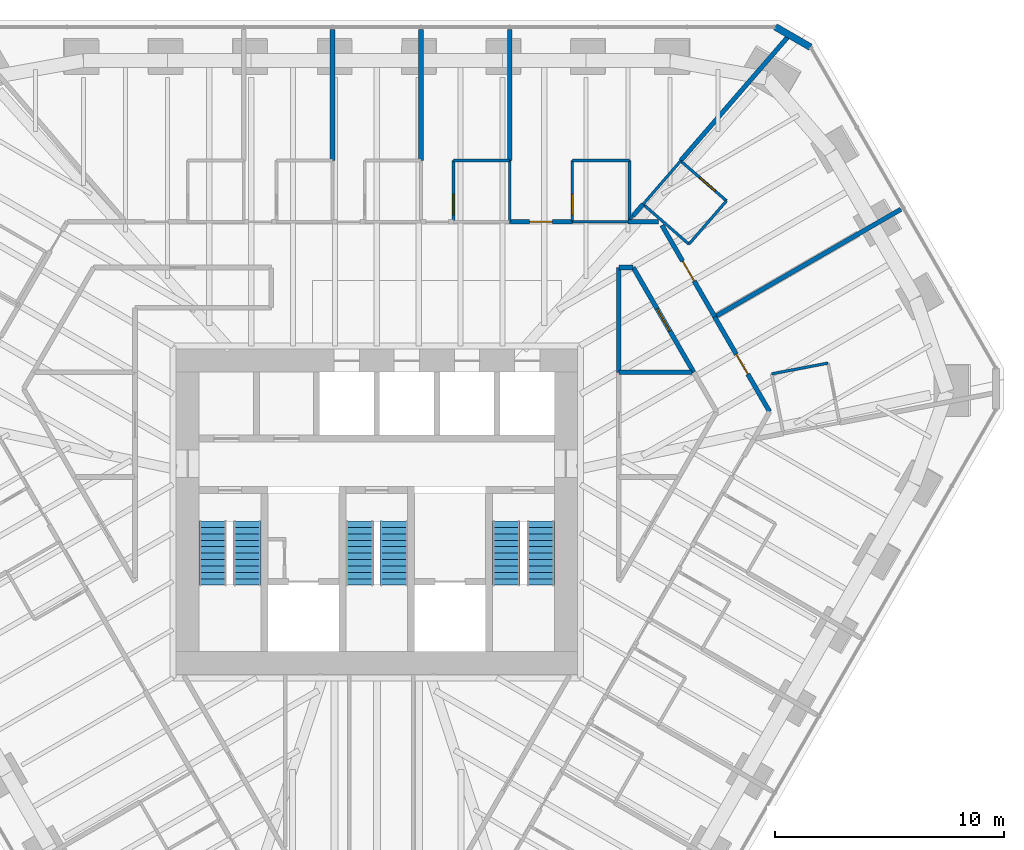
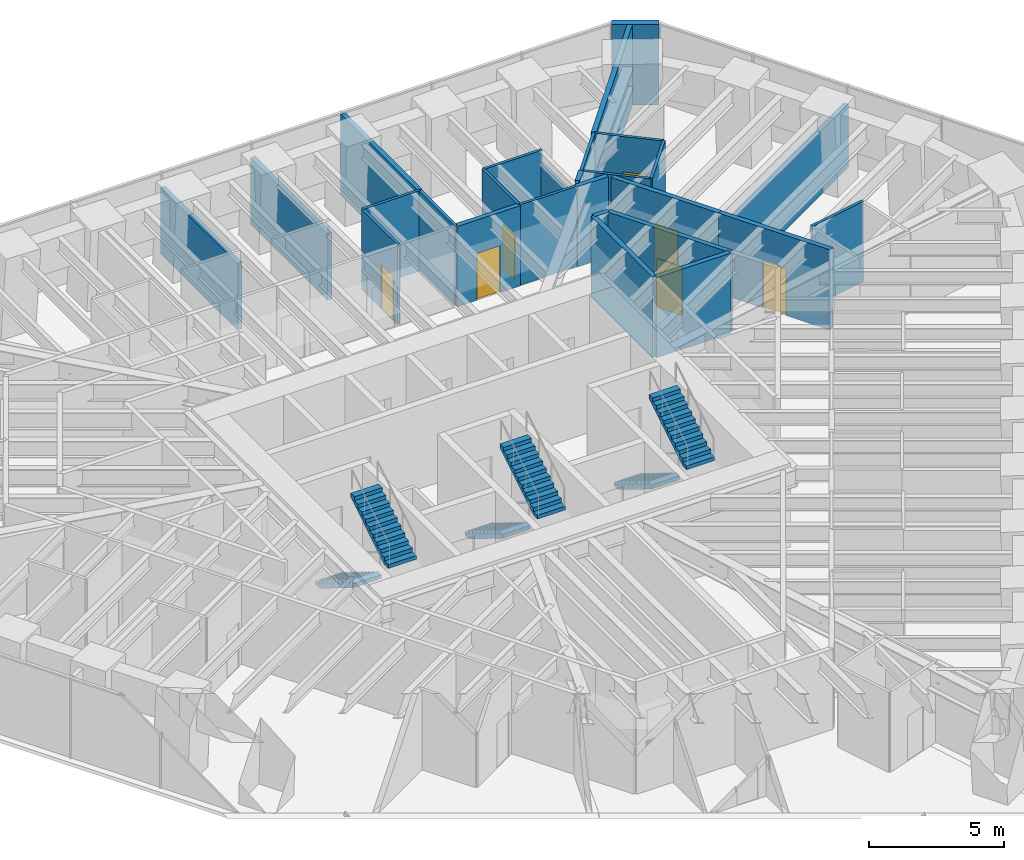
# One storey, part 16 of 17: 28 walls, 7 doors, 6 stair flights, 7 openings, 3 elements without a shape of their own.
"""IFC4 building model written with IfcOpenShell, lengths in metres."""

from ifc_helpers import new_model, si_unit, direction, frame, frame_2d, origin, place, context, subcontext, project, spatial, polyline, rectangle, outline, extrude, material, layer, layer_set, type_object, element, fill, aggregate, save


model = new_model("IFC4")

# Units and contexts
model_context = context("Model", 3, precision=1e-05, world=origin(), true_north=direction((0.0, 1.0)))
body_context = subcontext(model_context, "Body", "Model", "MODEL_VIEW")
ifc_project = project(units=[si_unit("LENGTHUNIT", "METRE"), si_unit("AREAUNIT", "SQUARE_METRE"), si_unit("VOLUMEUNIT", "CUBIC_METRE"), si_unit("PLANEANGLEUNIT", "RADIAN"), si_unit("MASSUNIT", "GRAM", prefix="KILO")], contexts=[model_context])

# Site, building, storey
site_placement = place(None, origin())
site = spatial("IfcSite", under=ifc_project, at=site_placement, CompositionType="ELEMENT")
building_placement = place(site_placement, origin())
building = spatial("IfcBuilding", under=site, at=building_placement, Name="Sandreach Pilgrim Tower", CompositionType="ELEMENT")
storey_placement = place(building_placement, frame((0.0, 0.0, 232.60009765625)))
storey = spatial("IfcBuildingStorey", under=building, at=storey_placement, Name="L58", CompositionType="ELEMENT", Elevation=232.60009765625)

# Wall, opening, door
ifc_material_1 = material(Name="Moisture-resistant gypsum board on steel studs", Category="steel")
ifc_layer_1 = layer(ifc_material_1, 0.1201171875)
ifc_layer_set_1 = layer_set([ifc_layer_1], Name="Bathroom partition 120")
wall_type_1 = type_object("IfcWallType", Name="Bathroom partition 120", PredefinedType="PARTITIONING", material=ifc_layer_set_1)
wall_1_placement = place(storey_placement, frame((3.35009765625, 15.330078125, 0.0), z_axis=(0.0, 0.0, 1.0), x_axis=(0.0, -1.0, 0.0)))
wall_1 = element("IfcWall", 1, at=wall_1_placement, inside=storey, type_object=wall_type_1, Name="Bathroom partition L58-085", PredefinedType="PARTITIONING", context=body_context, shape_type="SweptSolid", body=[
    extrude(rectangle(XDim=2.670166015625, YDim=0.1201171875, at=frame_2d((1.3349609375, 0.0))), origin(), (0.0, 0.0, 1.0), 3.639892578125),
])
opening_1_placement = place(wall_1_placement, frame((1.469970703125, 0.0, 0.0)))
opening_1 = element("IfcOpeningElement", 2, at=opening_1_placement, cuts=wall_1, Name="Opening D09-04B", PredefinedType="OPENING", context=body_context, shape_type="SweptSolid", body=[
    extrude(rectangle(XDim=0.89990234375, YDim=2.030029296875, at=frame_2d((0.449951171875, 1.01513671875))), frame((0.0, 0.06005859375, 0.0), z_axis=(0.0, -1.0, 0.0), x_axis=(1.0, 0.0, 0.0)), (0.0, 0.0, 1.0), 0.1201171875),
])
ifc_material_2 = material(Name="Timber door, steel frame", Category="steel")
door_type_1 = type_object("IfcDoorType", Name="Bathroom door", OperationType="SINGLE_SWING_LEFT", PredefinedType="DOOR", material=ifc_material_2)
door_1_placement = place(opening_1_placement, origin())
door_1 = element("IfcDoor", 3, at=door_1_placement, inside=storey, type_object=door_type_1, Name="Door 5804B", OperationType="SINGLE_SWING_RIGHT", OverallHeight=2.030029296875, OverallWidth=0.89990234375, PredefinedType="DOOR", context=body_context, shape_type="SweptSolid", body=[
    extrude(rectangle(XDim=0.89990234375, YDim=2.030029296875, at=frame_2d((0.449951171875, 1.01513671875))), frame((0.0, 0.02490234375, 0.0), z_axis=(0.0, -1.0, 0.0), x_axis=(1.0, 0.0, 0.0)), (0.0, 0.0, 1.0), 0.050048828125),
])
fill(opening_1, door_1)

# Walls
wall_2_placement = place(storey_placement, frame((5.800048828125, 15.330078125, 0.0), z_axis=(0.0, 0.0, 1.0), x_axis=(-1.0, 0.0, 0.0)))
element("IfcWall", 4, at=wall_2_placement, inside=storey, type_object=wall_type_1, Name="Bathroom partition L58-093", PredefinedType="PARTITIONING", context=body_context, shape_type="SweptSolid", body=[
    extrude(rectangle(XDim=2.449951171875, YDim=0.1201171875, at=frame_2d((1.22509765625, 0.0))), origin(), (0.0, 0.0, 1.0), 3.639892578125),
])
wall_3_placement = place(storey_placement, frame((5.800048828125, 15.330078125, 0.0), z_axis=(0.0, 0.0, 1.0), x_axis=(0.0, -1.0, 0.0)))
element("IfcWall", 5, at=wall_3_placement, inside=storey, type_object=wall_type_1, Name="Bathroom partition L58-094", PredefinedType="PARTITIONING", context=body_context, shape_type="SweptSolid", body=[
    extrude(rectangle(XDim=2.670166015625, YDim=0.1201171875, at=frame_2d((1.3349609375, 0.0))), origin(), (0.0, 0.0, 1.0), 3.639892578125),
])

# Wall, opening, door
wall_4_placement = place(storey_placement, frame((8.530029296875, 15.330078125, 0.0), z_axis=(0.0, 0.0, 1.0), x_axis=(0.0, -1.0, 0.0)))
wall_4 = element("IfcWall", 6, at=wall_4_placement, inside=storey, type_object=wall_type_1, Name="Bathroom partition L58-105", PredefinedType="PARTITIONING", context=body_context, shape_type="SweptSolid", body=[
    extrude(rectangle(XDim=2.670166015625, YDim=0.1201171875, at=frame_2d((1.3349609375, 0.0))), origin(), (0.0, 0.0, 1.0), 3.639892578125),
])
opening_2_placement = place(wall_4_placement, frame((1.469970703125, 0.0, 0.0)))
opening_2 = element("IfcOpeningElement", 7, at=opening_2_placement, cuts=wall_4, Name="Opening D09-05B", PredefinedType="OPENING", context=body_context, shape_type="SweptSolid", body=[
    extrude(rectangle(XDim=0.89990234375, YDim=2.030029296875, at=frame_2d((0.449951171875, 1.01513671875))), frame((0.0, 0.06005859375, 0.0), z_axis=(0.0, -1.0, 0.0), x_axis=(1.0, 0.0, 0.0)), (0.0, 0.0, 1.0), 0.1201171875),
])
door_2_placement = place(opening_2_placement, origin())
door_2 = element("IfcDoor", 8, at=door_2_placement, inside=storey, type_object=door_type_1, Name="Door 5805B", OperationType="SINGLE_SWING_RIGHT", OverallHeight=2.030029296875, OverallWidth=0.89990234375, PredefinedType="DOOR", context=body_context, shape_type="SweptSolid", body=[
    extrude(rectangle(XDim=0.89990234375, YDim=2.030029296875, at=frame_2d((0.449951171875, 1.01513671875))), frame((0.0, 0.02490234375, 0.0), z_axis=(0.0, -1.0, 0.0), x_axis=(1.0, 0.0, 0.0)), (0.0, 0.0, 1.0), 0.050048828125),
])
fill(opening_2, door_2)

# Walls
wall_5_placement = place(storey_placement, frame((10.9599609375, 12.659912109375, 0.0), z_axis=(0.0, 0.0, 1.0), x_axis=(-1.0, 0.0, 0.0)))
element("IfcWall", 9, at=wall_5_placement, inside=storey, type_object=wall_type_1, Name="Bathroom partition L58-117", PredefinedType="PARTITIONING", context=body_context, shape_type="SweptSolid", body=[
    extrude(rectangle(XDim=2.429931640625, YDim=0.1201171875, at=frame_2d((1.21484375, 0.0))), origin(), (0.0, 0.0, 1.0), 3.639892578125),
])
wall_6_placement = place(storey_placement, frame((11.030029296875, 12.739990234375, 0.0), z_axis=(0.0, 0.0, 1.0), x_axis=(0.0, 1.0, 0.0)))
element("IfcWall", 10, at=wall_6_placement, inside=storey, type_object=wall_type_1, Name="Bathroom partition L58-118", PredefinedType="PARTITIONING", context=body_context, shape_type="SweptSolid", body=[
    extrude(rectangle(XDim=2.590087890625, YDim=0.1201171875, at=frame_2d((1.294921875, 0.0))), origin(), (0.0, 0.0, 1.0), 3.037841796875),
])
wall_7_placement = place(storey_placement, frame((11.030029296875, 15.330078125, 0.0), z_axis=(0.0, 0.0, 1.0), x_axis=(-1.0, 0.0, 0.0)))
element("IfcWall", 11, at=wall_7_placement, inside=storey, type_object=wall_type_1, Name="Bathroom partition L58-119", PredefinedType="PARTITIONING", context=body_context, shape_type="SweptSolid", body=[
    extrude(rectangle(XDim=2.5, YDim=0.1201171875, at=frame_2d((1.25, 0.0))), origin(), (0.0, 0.0, 1.0), 3.639892578125),
])
wall_8_placement = place(storey_placement, frame((11.04931640625, 12.762939453125, 0.0), z_axis=(0.0, 0.0, 1.0), x_axis=(0.639596257895, 0.768711016499, 0.0)))
element("IfcWall", 12, at=wall_8_placement, inside=storey, type_object=wall_type_1, Name="Bathroom partition L58-120", PredefinedType="PARTITIONING", context=body_context, shape_type="SweptSolid", body=[
    extrude(rectangle(XDim=0.2041015625, YDim=0.1201171875, at=frame_2d((0.10205078125, 0.0))), origin(), (0.0, 0.0, 1.0), 3.639892578125),
])
wall_9_placement = place(storey_placement, frame((11.6201171875, 13.419921875, 0.0), z_axis=(0.0, 0.0, 1.0), x_axis=(0.655335308977, 0.755338091723, 0.0)))
element("IfcWall", 13, at=wall_9_placement, inside=storey, type_object=wall_type_1, Name="Bathroom partition L58-126", PredefinedType="PARTITIONING", context=body_context, shape_type="SweptSolid", body=[
    extrude(rectangle(XDim=2.50244140625, YDim=0.1201171875, at=frame_2d((1.251220703125, 0.0))), origin(), (0.0, 0.0, 1.0), 3.639892578125),
])
wall_10_placement = place(storey_placement, frame((11.6201171875, 13.419921875, 0.0), z_axis=(0.0, 0.0, 1.0), x_axis=(0.754444902764, -0.656363381591, 0.0)))
element("IfcWall", 14, at=wall_10_placement, inside=storey, type_object=wall_type_1, Name="Bathroom partition L58-127", PredefinedType="PARTITIONING", context=body_context, shape_type="SweptSolid", body=[
    extrude(rectangle(XDim=2.65087890625, YDim=0.1201171875, at=frame_2d((1.325439453125, 0.0))), origin(), (0.0, 0.0, 1.0), 3.639892578125),
])
wall_11_placement = place(storey_placement, frame((13.6201171875, 11.679931640625, 0.0), z_axis=(0.0, 0.0, 1.0), x_axis=(0.655335308977, 0.755338091723, 0.0)))
element("IfcWall", 15, at=wall_11_placement, inside=storey, type_object=wall_type_1, Name="Bathroom partition L58-137", PredefinedType="PARTITIONING", context=body_context, shape_type="SweptSolid", body=[
    extrude(rectangle(XDim=2.50244140625, YDim=0.1201171875, at=frame_2d((1.251220703125, 0.0))), origin(), (0.0, 0.0, 1.0), 3.639892578125),
])

# Wall, opening, door
wall_12_placement = place(storey_placement, frame((15.260009765625, 13.570068359375, 0.0), z_axis=(0.0, 0.0, 1.0), x_axis=(-0.754444902764, 0.656363381591, 0.0)))
wall_12 = element("IfcWall", 16, at=wall_12_placement, inside=storey, type_object=wall_type_1, Name="Bathroom partition L58-145", PredefinedType="PARTITIONING", context=body_context, shape_type="SweptSolid", body=[
    extrude(rectangle(XDim=2.65087890625, YDim=0.1201171875, at=frame_2d((1.325439453125, 0.0))), origin(), (0.0, 0.0, 1.0), 3.639892578125),
])
opening_3_placement = place(wall_12_placement, frame((0.64990234375, 0.0, 0.0)))
opening_3 = element("IfcOpeningElement", 17, at=opening_3_placement, cuts=wall_12, Name="Opening D09-06B", PredefinedType="OPENING", context=body_context, shape_type="SweptSolid", body=[
    extrude(rectangle(XDim=0.89990234375, YDim=2.030029296875, at=frame_2d((0.449951171875, 1.01513671875))), frame((0.0, 0.06005859375, 0.0), z_axis=(0.0, -1.0, 0.0), x_axis=(1.0, 0.0, 0.0)), (0.0, 0.0, 1.0), 0.1201171875),
])
door_3_placement = place(opening_3_placement, origin())
door_3 = element("IfcDoor", 18, at=door_3_placement, inside=storey, type_object=door_type_1, Name="Door 5806B", OperationType="SINGLE_SWING_LEFT", OverallHeight=2.030029296875, OverallWidth=0.89990234375, PredefinedType="DOOR", context=body_context, shape_type="SweptSolid", body=[
    extrude(rectangle(XDim=0.89990234375, YDim=2.030029296875, at=frame_2d((0.449951171875, 1.01513671875))), frame((0.0, 0.02490234375, 0.0), z_axis=(0.0, -1.0, 0.0), x_axis=(1.0, 0.0, 0.0)), (0.0, 0.0, 1.0), 0.050048828125),
])
fill(opening_3, door_3)

# Wall
wall_13_placement = place(storey_placement, frame((19.68994140625, 6.489990234375, 0.0), z_axis=(0.0, 0.0, 1.0), x_axis=(-0.98223517487, -0.187654100002, 0.0)))
element("IfcWall", 19, at=wall_13_placement, inside=storey, type_object=wall_type_1, Name="Bathroom partition L58-157", PredefinedType="PARTITIONING", context=body_context, shape_type="SweptSolid", body=[
    extrude(rectangle(XDim=2.50439453125, YDim=0.1201171875, at=frame_2d((1.252197265625, 0.0))), origin(), (0.0, 0.0, 1.0), 3.639892578125),
])

# Wall, opening, door
ifc_material_3 = material(Name="Gypsum board on steel studs, two layers each side", Category="steel")
ifc_layer_2 = layer(ifc_material_3, 0.199951171875)
ifc_layer_set_2 = layer_set([ifc_layer_2], Name="Corridor wall 200")
wall_type_2 = type_object("IfcWallType", Name="Corridor wall 200", PredefinedType="PARTITIONING", material=ifc_layer_set_2)
wall_14_placement = place(storey_placement, frame((8.530029296875, 12.659912109375, 0.0), z_axis=(0.0, 0.0, 1.0), x_axis=(-1.0, 0.0, 0.0)))
wall_14 = element("IfcWall", 20, at=wall_14_placement, inside=storey, type_object=wall_type_2, Name="Corridor wall L58-104", PredefinedType="PARTITIONING", context=body_context, shape_type="SweptSolid", body=[
    extrude(rectangle(XDim=2.72998046875, YDim=0.199951171875, at=frame_2d((1.364990234375, 0.0))), origin(), (0.0, 0.0, 1.0), 3.639892578125),
])
opening_4_placement = place(wall_14_placement, frame((0.864990234375, 0.0, 0.0)))
opening_4 = element("IfcOpeningElement", 21, at=opening_4_placement, cuts=wall_14, Name="Opening D10-05", PredefinedType="OPENING", context=body_context, shape_type="SweptSolid", body=[
    extrude(rectangle(XDim=1.0, YDim=2.1298828125, at=frame_2d((0.5, 1.06494140625))), frame((0.0, 0.10009765625, 0.0), z_axis=(0.0, -1.0, 0.0), x_axis=(1.0, 0.0, 0.0)), (0.0, 0.0, 1.0), 0.199951171875),
])
ifc_material_4 = material(Name="Steel door and frame", Category="steel")
door_type_2 = type_object("IfcDoorType", Name="Guest room entry door", OperationType="SINGLE_SWING_LEFT", PredefinedType="DOOR", material=ifc_material_4)
door_4_placement = place(opening_4_placement, origin())
door_4 = element("IfcDoor", 22, at=door_4_placement, inside=storey, type_object=door_type_2, Name="Door 5805", OperationType="SINGLE_SWING_LEFT", OverallHeight=2.1298828125, OverallWidth=1.0, PredefinedType="DOOR", context=body_context, shape_type="SweptSolid", body=[
    extrude(rectangle(XDim=1.0, YDim=2.1298828125, at=frame_2d((0.5, 1.06494140625))), frame((0.0, 0.02490234375, 0.0), z_axis=(0.0, -1.0, 0.0), x_axis=(1.0, 0.0, 0.0)), (0.0, 0.0, 1.0), 0.050048828125),
])
fill(opening_4, door_4)

# Walls
wall_15_placement = place(storey_placement, frame((10.550048828125, 6.090087890625, 0.0), z_axis=(0.0, 0.0, 1.0), x_axis=(0.0, 1.0, 0.0)))
element("IfcWall", 23, at=wall_15_placement, inside=storey, type_object=wall_type_2, Name="Corridor wall L58-114", PredefinedType="PARTITIONING", context=body_context, shape_type="SweptSolid", body=[
    extrude(rectangle(XDim=4.56982421875, YDim=0.199951171875, at=frame_2d((2.284912109375, 0.0))), origin(), (0.0, 0.0, 1.0), 3.639892578125),
])
wall_16_placement = place(storey_placement, frame((10.56005859375, 10.659912109375, 0.0), z_axis=(0.0, 0.0, 1.0), x_axis=(1.0, 0.0, 0.0)))
element("IfcWall", 24, at=wall_16_placement, inside=storey, type_object=wall_type_2, Name="Corridor wall L58-116", PredefinedType="PARTITIONING", context=body_context, shape_type="SweptSolid", body=[
    extrude(rectangle(XDim=0.6298828125, YDim=0.199951171875, at=frame_2d((0.31494140625, 0.0))), origin(), (0.0, 0.0, 1.0), 3.639892578125),
])

# Wall, opening, door
wall_17_placement = place(storey_placement, frame((11.18994140625, 10.659912109375, 0.0), z_axis=(0.0, 0.0, 1.0), x_axis=(0.500248310865, -0.865881993967, 0.0)))
wall_17 = element("IfcWall", 25, at=wall_17_placement, inside=storey, type_object=wall_type_2, Name="Corridor wall L58-122", PredefinedType="PARTITIONING", context=body_context, shape_type="SweptSolid", body=[
    extrude(rectangle(XDim=5.277587890625, YDim=0.199951171875, at=frame_2d((2.638671875, 0.0))), origin(), (0.0, 0.0, 1.0), 3.639892578125),
])
opening_5_placement = place(wall_17_placement, frame((2.0888671875, 0.0, 0.0)))
opening_5 = element("IfcOpeningElement", 26, at=opening_5_placement, cuts=wall_17, Name="Opening D11H-M05", PredefinedType="OPENING", context=body_context, shape_type="SweptSolid", body=[
    extrude(rectangle(XDim=1.10009765625, YDim=2.199951171875, at=frame_2d((0.550048828125, 1.10009765625))), frame((0.0, 0.10009765625, 0.0), z_axis=(0.0, -1.0, 0.0), x_axis=(1.0, 0.0, 0.0)), (0.0, 0.0, 1.0), 0.199951171875),
])
ifc_material_5 = material(Name="Steel door and frame", Category="steel")
door_type_3 = type_object("IfcDoorType", Name="Back of house door", OperationType="SINGLE_SWING_LEFT", PredefinedType="DOOR", material=ifc_material_5)
door_5_placement = place(opening_5_placement, origin())
door_5 = element("IfcDoor", 27, at=door_5_placement, inside=storey, type_object=door_type_3, Name="Door 58M05", OperationType="SINGLE_SWING_LEFT", OverallHeight=2.199951171875, OverallWidth=1.10009765625, PredefinedType="DOOR", context=body_context, shape_type="SweptSolid", body=[
    extrude(rectangle(XDim=1.10009765625, YDim=2.199951171875, at=frame_2d((0.550048828125, 1.10009765625))), frame((0.0, 0.02490234375, 0.0), z_axis=(0.0, -1.0, 0.0), x_axis=(1.0, 0.0, 0.0)), (0.0, 0.0, 1.0), 0.050048828125),
])
fill(opening_5, door_5)

# Wall
wall_18_placement = place(storey_placement, frame((12.2900390625, 12.659912109375, 0.0), z_axis=(0.0, 0.0, 1.0), x_axis=(-1.0, 0.0, 0.0)))
element("IfcWall", 28, at=wall_18_placement, inside=storey, type_object=wall_type_2, Name="Corridor wall L58-132", PredefinedType="PARTITIONING", context=body_context, shape_type="SweptSolid", body=[
    extrude(rectangle(XDim=1.330078125, YDim=0.199951171875, at=frame_2d((0.6650390625, 0.0))), origin(), (0.0, 0.0, 1.0), 3.639892578125),
])

# Wall, opening, door
wall_19_placement = place(storey_placement, frame((12.440185546875, 12.504150390625, 0.0), z_axis=(0.0, 0.0, 1.0), x_axis=(0.500616963614, -0.865668906535, 0.0)))
wall_19 = element("IfcWall", 29, at=wall_19_placement, inside=storey, type_object=wall_type_2, Name="Corridor wall L58-133", PredefinedType="PARTITIONING", context=body_context, shape_type="SweptSolid", body=[
    extrude(rectangle(XDim=4.614013671875, YDim=0.199951171875, at=frame_2d((2.30712890625, 0.0))), origin(), (0.0, 0.0, 1.0), 3.639892578125),
])
opening_6_placement = place(wall_19_placement, frame((1.806884765625, 0.0, 0.0)))
opening_6 = element("IfcOpeningElement", 30, at=opening_6_placement, cuts=wall_19, Name="Opening D10-06", PredefinedType="OPENING", context=body_context, shape_type="SweptSolid", body=[
    extrude(rectangle(XDim=1.0, YDim=2.1298828125, at=frame_2d((0.5, 1.06494140625))), frame((0.0, 0.10009765625, 0.0), z_axis=(0.0, -1.0, 0.0), x_axis=(1.0, 0.0, 0.0)), (0.0, 0.0, 1.0), 0.199951171875),
])
door_6_placement = place(opening_6_placement, origin())
door_6 = element("IfcDoor", 31, at=door_6_placement, inside=storey, type_object=door_type_2, Name="Door 5806", OperationType="SINGLE_SWING_LEFT", OverallHeight=2.1298828125, OverallWidth=1.0, PredefinedType="DOOR", context=body_context, shape_type="SweptSolid", body=[
    extrude(rectangle(XDim=1.0, YDim=2.1298828125, at=frame_2d((0.5, 1.06494140625))), frame((0.0, 0.02490234375, 0.0), z_axis=(0.0, -1.0, 0.0), x_axis=(1.0, 0.0, 0.0)), (0.0, 0.0, 1.0), 0.050048828125),
])
fill(opening_6, door_6)

wall_20_placement = place(storey_placement, frame((17.139892578125, 4.3701171875, 0.0), z_axis=(0.0, 0.0, 1.0), x_axis=(-0.501524901322, 0.865143209737, 0.0)))
wall_20 = element("IfcWall", 32, at=wall_20_placement, inside=storey, type_object=wall_type_2, Name="Corridor wall L58-152", PredefinedType="PARTITIONING", context=body_context, shape_type="SweptSolid", body=[
    extrude(rectangle(XDim=4.78515625, YDim=0.199951171875, at=frame_2d((2.392578125, 0.0))), origin(), (0.0, 0.0, 1.0), 3.639892578125),
])
opening_7_placement = place(wall_20_placement, frame((1.892578125, 0.0, 0.0)))
opening_7 = element("IfcOpeningElement", 33, at=opening_7_placement, cuts=wall_20, Name="Opening D10-07", PredefinedType="OPENING", context=body_context, shape_type="SweptSolid", body=[
    extrude(rectangle(XDim=1.0, YDim=2.1298828125, at=frame_2d((0.5, 1.06494140625))), frame((0.0, 0.10009765625, 0.0), z_axis=(0.0, -1.0, 0.0), x_axis=(1.0, 0.0, 0.0)), (0.0, 0.0, 1.0), 0.199951171875),
])
door_7_placement = place(opening_7_placement, origin())
door_7 = element("IfcDoor", 34, at=door_7_placement, inside=storey, type_object=door_type_2, Name="Door 5807", OperationType="SINGLE_SWING_LEFT", OverallHeight=2.1298828125, OverallWidth=1.0, PredefinedType="DOOR", context=body_context, shape_type="SweptSolid", body=[
    extrude(rectangle(XDim=1.0, YDim=2.1298828125, at=frame_2d((0.5, 1.06494140625))), frame((0.0, 0.02490234375, 0.0), z_axis=(0.0, -1.0, 0.0), x_axis=(1.0, 0.0, 0.0)), (0.0, 0.0, 1.0), 0.050048828125),
])
fill(opening_7, door_7)

# Walls
ifc_material_6 = material(Name="Double steel stud acoustic wall, gypsum board", Category="steel")
ifc_layer_3 = layer(ifc_material_6, 0.199951171875)
ifc_layer_set_3 = layer_set([ifc_layer_3], Name="Party wall 200")
wall_type_3 = type_object("IfcWallType", Name="Party wall 200", PredefinedType="PARTITIONING", material=ifc_layer_set_3)
for number, where, z_axis, x_axis, name in (
    (35, (-1.929931640625, 21.0400390625, 0.0), (0.0, 0.0, 1.0), (0.0, -1.0, 0.0), "Party wall L58-067"),
    (36, (1.929931640625, 21.0400390625, 0.0), (0.0, 0.0, 1.0), (0.0, -1.0, 0.0), "Party wall L58-082"),
):
    element("IfcWall", number, at=place(storey_placement, frame(where, z_axis=z_axis, x_axis=x_axis)), inside=storey, type_object=wall_type_3, Name=name, PredefinedType="PARTITIONING", context=body_context, shape_type="SweptSolid", body=[
        extrude(rectangle(XDim=5.7099609375, YDim=0.199951171875, at=frame_2d((2.85498046875, 0.0))), origin(), (0.0, 0.0, 1.0), 3.022705078125),
    ])
wall_21_placement = place(storey_placement, frame((5.800048828125, 21.0400390625, 0.0), z_axis=(0.0, 0.0, 1.0), x_axis=(0.0, -1.0, 0.0)))
element("IfcWall", 37, at=wall_21_placement, inside=storey, type_object=wall_type_3, Name="Party wall L58-095", PredefinedType="PARTITIONING", context=body_context, shape_type="SweptSolid", body=[
    extrude(rectangle(XDim=5.7099609375, YDim=0.199951171875, at=frame_2d((2.85498046875, 0.0))), origin(), (0.0, 0.0, 1.0), 3.639892578125),
])
wall_22_placement = place(storey_placement, frame((11.179931640625, 12.919921875, 0.0), z_axis=(0.0, 0.0, 1.0), x_axis=(0.660578310858, 0.750757147967, 0.0)))
element("IfcWall", 38, at=wall_22_placement, inside=storey, type_object=wall_type_3, Name="Party wall L58-121", PredefinedType="PARTITIONING", context=body_context, shape_type="SweptSolid", body=[
    extrude(rectangle(XDim=0.666015625, YDim=0.199951171875, at=frame_2d((0.3330078125, 0.0))), origin(), (0.0, 0.0, 1.0), 3.639892578125),
])
wall_23_placement = place(storey_placement, frame((13.7548828125, 6.090087890625, 0.0), z_axis=(0.0, 0.0, 1.0), x_axis=(-1.0, 0.0, 0.0)))
element("IfcWall", 39, at=wall_23_placement, inside=storey, type_object=wall_type_3, Name="Party wall L58-138", PredefinedType="PARTITIONING", context=body_context, shape_type="SweptSolid", body=[
    extrude(rectangle(XDim=3.19482421875, YDim=0.199951171875, at=frame_2d((1.597412109375, 0.0))), origin(), (0.0, 0.0, 1.0), 3.639892578125),
])
wall_24_placement = place(storey_placement, frame((18.020263671875, 20.8173828125, 0.0), z_axis=(0.0, 0.0, 1.0), x_axis=(-0.654701954033, -0.755887128733, 0.0)))
element("IfcWall", 40, at=wall_24_placement, inside=storey, type_object=wall_type_3, Name="Party wall L58-156", PredefinedType="PARTITIONING", context=body_context, shape_type="SweptSolid", body=[
    extrude(rectangle(XDim=7.279541015625, YDim=0.199951171875, at=frame_2d((3.6396484375, 0.0))), origin(), (0.0, 0.0, 1.0), 3.639892578125),
])
wall_25_placement = place(storey_placement, frame((22.8662109375, 13.199951171875, 0.0), z_axis=(0.0, 0.0, 1.0), x_axis=(-0.865840726882, -0.500319733442, 0.0)))
element("IfcWall", 41, at=wall_25_placement, inside=storey, type_object=wall_type_3, Name="Party wall L58-160", PredefinedType="PARTITIONING", context=body_context, shape_type="SweptSolid", body=[
    extrude(rectangle(XDim=9.363525390625, YDim=0.199951171875, at=frame_2d((4.681640625, 0.0))), origin(), (0.0, 0.0, 1.0), 2.8779296875),
])
ifc_material_7 = material(Name="Terracotta rainscreen on concrete", Category="masonry")
ifc_layer_4 = layer(ifc_material_7, 0.300048828125)
ifc_layer_set_4 = layer_set([ifc_layer_4], Name="Terracotta chamfer pier")
wall_type_4 = type_object("IfcWallType", Name="Terracotta chamfer pier", PredefinedType="SOLIDWALL", material=ifc_layer_set_4)
wall_26_placement = place(storey_placement, frame((17.389892578125, 21.16015625, 0.0), z_axis=(0.0, 0.0, 1.0), x_axis=(0.866036293601, -0.499981137809, 0.0)))
element("IfcWall", 42, at=wall_26_placement, inside=storey, type_object=wall_type_4, Name="Chamfer pier L58 N", PredefinedType="SOLIDWALL", context=body_context, shape_type="SweptSolid", body=[
    extrude(rectangle(XDim=1.77001953125, YDim=0.300048828125, at=frame_2d((0.885009765625, 0.0))), origin(), (0.0, 0.0, 1.0), 3.639892578125),
])

# Stair, stair flights
ifc_material_8 = material(Name="Concrete 8000 psi", Category="concrete")
stair_type = type_object("IfcStairType", Name="Core exit stair", PredefinedType="HALF_TURN_STAIR", material=ifc_material_8)
stair_1_placement = place(storey_placement, origin())
stair_1 = element("IfcStair", 43, at=stair_1_placement, inside=storey, type_object=stair_type, Name="Exit stair ST1 L58", PredefinedType="HALF_TURN_STAIR")
ifc_material_9 = material(Name="Concrete 8000 psi", Category="concrete")
stair_flight_type = type_object("IfcStairFlightType", Name="Core stair flight 1200", PredefinedType="STRAIGHT", material=ifc_material_9)
stair_flight_1_placement = place(storey_placement, frame((-7.14990234375, -0.39990234375, 0.0), z_axis=(0.0, 0.0, 1.0), x_axis=(0.0, -1.0, 0.0)))
stair_flight_1 = element("IfcStairFlight", 44, at=stair_flight_1_placement, type_object=stair_flight_type, Name="ST1 flight 1", NumberOfRisers=11, NumberOfTreads=10, PredefinedType="STRAIGHT", RiserHeight=0.172727273, TreadLength=0.28, context=body_context, shape_type="SweptSolid", body=[
    extrude(outline(polyline([(0.0, 0.0), (0.0, 0.172607421875), (0.280029296875, 0.172607421875), (0.280029296875, 0.345458984375), (0.56005859375, 0.345458984375), (0.56005859375, 0.51806640625), (0.840087890625, 0.51806640625), (0.840087890625, 0.69091796875), (1.1201171875, 0.69091796875), (1.1201171875, 0.863525390625), (1.39990234375, 0.863525390625), (1.39990234375, 1.036376953125), (1.679931640625, 1.036376953125), (1.679931640625, 1.208984375), (1.9599609375, 1.208984375), (1.9599609375, 1.3818359375), (2.239990234375, 1.3818359375), (2.239990234375, 1.554443359375), (2.52001953125, 1.554443359375), (2.52001953125, 1.727294921875), (2.800048828125, 1.727294921875), (2.800048828125, 1.89990234375), (2.800048828125, 1.551025390625), (0.285400390625, 0.0), (0.0, 0.0)])), frame((0.0, 0.60009765625, 0.0), z_axis=(0.0, -1.0, 0.0), x_axis=(1.0, 0.0, 0.0)), (0.0, 0.0, 1.0), 1.199951171875),
])
stair_flight_2_placement = place(storey_placement, frame((-5.64990234375, -3.199951171875, 1.89990234375), z_axis=(0.0, 0.0, 1.0), x_axis=(0.0, 1.0, 0.0)))
stair_flight_2 = element("IfcStairFlight", 45, at=stair_flight_2_placement, type_object=stair_flight_type, Name="ST1 flight 2", NumberOfRisers=11, NumberOfTreads=10, PredefinedType="STRAIGHT", RiserHeight=0.172727273, TreadLength=0.28, context=body_context, shape_type="SweptSolid", body=[
    extrude(outline(polyline([(0.0, 0.0), (0.0, 0.172607421875), (0.280029296875, 0.172607421875), (0.280029296875, 0.345458984375), (0.56005859375, 0.345458984375), (0.56005859375, 0.51806640625), (0.840087890625, 0.51806640625), (0.840087890625, 0.69091796875), (1.1201171875, 0.69091796875), (1.1201171875, 0.863525390625), (1.39990234375, 0.863525390625), (1.39990234375, 1.036376953125), (1.679931640625, 1.036376953125), (1.679931640625, 1.208984375), (1.9599609375, 1.208984375), (1.9599609375, 1.3818359375), (2.239990234375, 1.3818359375), (2.239990234375, 1.554443359375), (2.52001953125, 1.554443359375), (2.52001953125, 1.727294921875), (2.800048828125, 1.727294921875), (2.800048828125, 1.89990234375), (2.800048828125, 1.551025390625), (0.285400390625, 0.0), (0.0, 0.0)])), frame((0.0, 0.60009765625, 0.0), z_axis=(0.0, -1.0, 0.0), x_axis=(1.0, 0.0, 0.0)), (0.0, 0.0, 1.0), 1.199951171875),
])
aggregate(stair_1, [stair_flight_1, stair_flight_2])

stair_2_placement = place(storey_placement, origin())
stair_2 = element("IfcStair", 46, at=stair_2_placement, inside=storey, type_object=stair_type, Name="Exit stair ST3 L58", PredefinedType="HALF_TURN_STAIR")
stair_flight_3_placement = place(storey_placement, frame((-0.75, -0.39990234375, 0.0), z_axis=(0.0, 0.0, 1.0), x_axis=(0.0, -1.0, 0.0)))
stair_flight_3 = element("IfcStairFlight", 47, at=stair_flight_3_placement, type_object=stair_flight_type, Name="ST3 flight 1", NumberOfRisers=11, NumberOfTreads=10, PredefinedType="STRAIGHT", RiserHeight=0.172727273, TreadLength=0.28, context=body_context, shape_type="SweptSolid", body=[
    extrude(outline(polyline([(0.0, 0.0), (0.0, 0.172607421875), (0.280029296875, 0.172607421875), (0.280029296875, 0.345458984375), (0.56005859375, 0.345458984375), (0.56005859375, 0.51806640625), (0.840087890625, 0.51806640625), (0.840087890625, 0.69091796875), (1.1201171875, 0.69091796875), (1.1201171875, 0.863525390625), (1.39990234375, 0.863525390625), (1.39990234375, 1.036376953125), (1.679931640625, 1.036376953125), (1.679931640625, 1.208984375), (1.9599609375, 1.208984375), (1.9599609375, 1.3818359375), (2.239990234375, 1.3818359375), (2.239990234375, 1.554443359375), (2.52001953125, 1.554443359375), (2.52001953125, 1.727294921875), (2.800048828125, 1.727294921875), (2.800048828125, 1.89990234375), (2.800048828125, 1.551025390625), (0.285400390625, 0.0), (0.0, 0.0)])), frame((0.0, 0.60009765625, 0.0), z_axis=(0.0, -1.0, 0.0), x_axis=(1.0, 0.0, 0.0)), (0.0, 0.0, 1.0), 1.199951171875),
])
stair_flight_4_placement = place(storey_placement, frame((0.75, -3.199951171875, 1.89990234375), z_axis=(0.0, 0.0, 1.0), x_axis=(0.0, 1.0, 0.0)))
stair_flight_4 = element("IfcStairFlight", 48, at=stair_flight_4_placement, type_object=stair_flight_type, Name="ST3 flight 2", NumberOfRisers=11, NumberOfTreads=10, PredefinedType="STRAIGHT", RiserHeight=0.172727273, TreadLength=0.28, context=body_context, shape_type="SweptSolid", body=[
    extrude(outline(polyline([(0.0, 0.0), (0.0, 0.172607421875), (0.280029296875, 0.172607421875), (0.280029296875, 0.345458984375), (0.56005859375, 0.345458984375), (0.56005859375, 0.51806640625), (0.840087890625, 0.51806640625), (0.840087890625, 0.69091796875), (1.1201171875, 0.69091796875), (1.1201171875, 0.863525390625), (1.39990234375, 0.863525390625), (1.39990234375, 1.036376953125), (1.679931640625, 1.036376953125), (1.679931640625, 1.208984375), (1.9599609375, 1.208984375), (1.9599609375, 1.3818359375), (2.239990234375, 1.3818359375), (2.239990234375, 1.554443359375), (2.52001953125, 1.554443359375), (2.52001953125, 1.727294921875), (2.800048828125, 1.727294921875), (2.800048828125, 1.89990234375), (2.800048828125, 1.551025390625), (0.285400390625, 0.0), (0.0, 0.0)])), frame((0.0, 0.60009765625, 0.0), z_axis=(0.0, -1.0, 0.0), x_axis=(1.0, 0.0, 0.0)), (0.0, 0.0, 1.0), 1.199951171875),
])
aggregate(stair_2, [stair_flight_3, stair_flight_4])

stair_3_placement = place(storey_placement, origin())
stair_3 = element("IfcStair", 49, at=stair_3_placement, inside=storey, type_object=stair_type, Name="Exit stair ST2 L58", PredefinedType="HALF_TURN_STAIR")
stair_flight_5_placement = place(storey_placement, frame((5.64990234375, -0.39990234375, 0.0), z_axis=(0.0, 0.0, 1.0), x_axis=(0.0, -1.0, 0.0)))
stair_flight_5 = element("IfcStairFlight", 50, at=stair_flight_5_placement, type_object=stair_flight_type, Name="ST2 flight 1", NumberOfRisers=11, NumberOfTreads=10, PredefinedType="STRAIGHT", RiserHeight=0.172727273, TreadLength=0.28, context=body_context, shape_type="SweptSolid", body=[
    extrude(outline(polyline([(0.0, 0.0), (0.0, 0.172607421875), (0.280029296875, 0.172607421875), (0.280029296875, 0.345458984375), (0.56005859375, 0.345458984375), (0.56005859375, 0.51806640625), (0.840087890625, 0.51806640625), (0.840087890625, 0.69091796875), (1.1201171875, 0.69091796875), (1.1201171875, 0.863525390625), (1.39990234375, 0.863525390625), (1.39990234375, 1.036376953125), (1.679931640625, 1.036376953125), (1.679931640625, 1.208984375), (1.9599609375, 1.208984375), (1.9599609375, 1.3818359375), (2.239990234375, 1.3818359375), (2.239990234375, 1.554443359375), (2.52001953125, 1.554443359375), (2.52001953125, 1.727294921875), (2.800048828125, 1.727294921875), (2.800048828125, 1.89990234375), (2.800048828125, 1.551025390625), (0.285400390625, 0.0), (0.0, 0.0)])), frame((0.0, 0.60009765625, 0.0), z_axis=(0.0, -1.0, 0.0), x_axis=(1.0, 0.0, 0.0)), (0.0, 0.0, 1.0), 1.199951171875),
])
stair_flight_6_placement = place(storey_placement, frame((7.14990234375, -3.199951171875, 1.89990234375), z_axis=(0.0, 0.0, 1.0), x_axis=(0.0, 1.0, 0.0)))
stair_flight_6 = element("IfcStairFlight", 51, at=stair_flight_6_placement, type_object=stair_flight_type, Name="ST2 flight 2", NumberOfRisers=11, NumberOfTreads=10, PredefinedType="STRAIGHT", RiserHeight=0.172727273, TreadLength=0.28, context=body_context, shape_type="SweptSolid", body=[
    extrude(outline(polyline([(0.0, 0.0), (0.0, 0.172607421875), (0.280029296875, 0.172607421875), (0.280029296875, 0.345458984375), (0.56005859375, 0.345458984375), (0.56005859375, 0.51806640625), (0.840087890625, 0.51806640625), (0.840087890625, 0.69091796875), (1.1201171875, 0.69091796875), (1.1201171875, 0.863525390625), (1.39990234375, 0.863525390625), (1.39990234375, 1.036376953125), (1.679931640625, 1.036376953125), (1.679931640625, 1.208984375), (1.9599609375, 1.208984375), (1.9599609375, 1.3818359375), (2.239990234375, 1.3818359375), (2.239990234375, 1.554443359375), (2.52001953125, 1.554443359375), (2.52001953125, 1.727294921875), (2.800048828125, 1.727294921875), (2.800048828125, 1.89990234375), (2.800048828125, 1.551025390625), (0.285400390625, 0.0), (0.0, 0.0)])), frame((0.0, 0.60009765625, 0.0), z_axis=(0.0, -1.0, 0.0), x_axis=(1.0, 0.0, 0.0)), (0.0, 0.0, 1.0), 1.199951171875),
])
aggregate(stair_3, [stair_flight_5, stair_flight_6])

save(model, "model.ifc")
